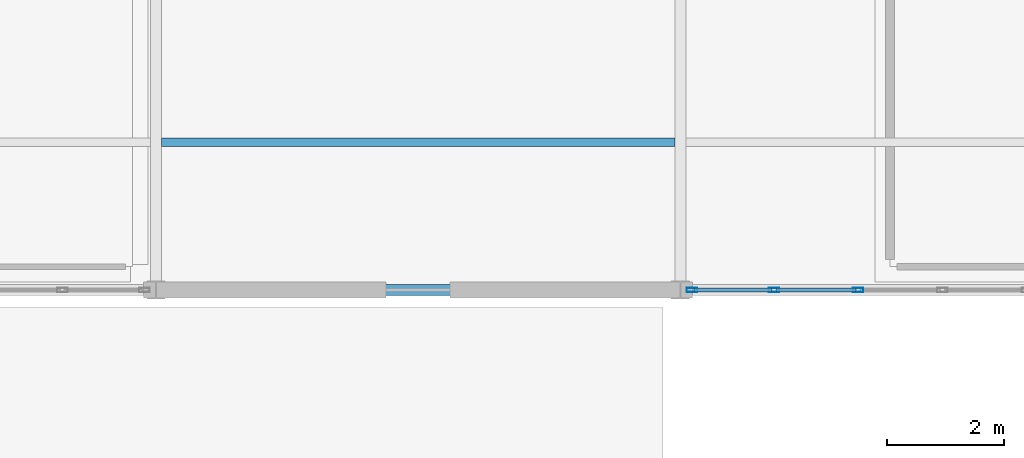
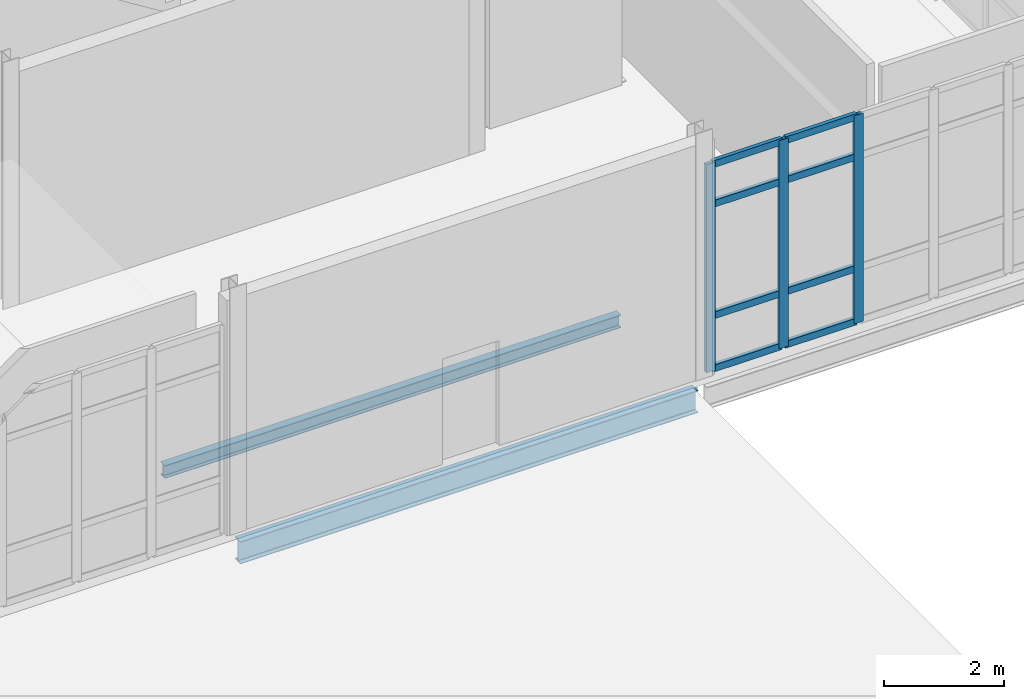
# One storey, part 108 of 161: 11 members, 2 beams, 1 element without a shape of its own.
"""IFC4 building model written with IfcOpenShell, lengths in metres."""

from ifc_helpers import new_model, si_unit, direction, frame, origin, origin_2d, place, context, subcontext, project, spatial, hollow_rectangle, i_section, extrude, material, material_profile, profile_set, type_object, element, aggregate, save


model = new_model("IFC4")

# Units and contexts
model_context = context("Model", 3, precision=1e-05, world=origin(), true_north=direction((0.0, 1.0)))
body_context = subcontext(model_context, "Body", "Model", "MODEL_VIEW")
ifc_project = project(units=[si_unit("LENGTHUNIT", "METRE"), si_unit("AREAUNIT", "SQUARE_METRE"), si_unit("VOLUMEUNIT", "CUBIC_METRE"), si_unit("PLANEANGLEUNIT", "RADIAN"), si_unit("MASSUNIT", "GRAM", prefix="KILO")], contexts=[model_context])

# Site, building, storey
site_placement = place(None, origin())
site = spatial("IfcSite", under=ifc_project, at=site_placement, CompositionType="ELEMENT")
building_placement = place(site_placement, origin())
building = spatial("IfcBuilding", under=site, at=building_placement, Name="Caisbarro Railhouse Central Library", CompositionType="ELEMENT")
storey_placement = place(building_placement, origin())
storey = spatial("IfcBuildingStorey", under=building, at=storey_placement, Name="L00", CompositionType="ELEMENT", Elevation=0.0)

# Beams
ifc_material_1 = material(Name="Steel ASTM A572 Grade 50", Category="steel")
ifc_material_profile_1 = material_profile(ifc_material_1, i_section(OverallWidth=0.14794921875, OverallDepth=0.26611328125, WebThickness=0.007568359375, FlangeThickness=0.012939453125, FilletRadius=0.010009765625, at=origin_2d()), Name="W250X44.8")
ifc_profile_set_1 = profile_set([ifc_material_profile_1], Name="Steel ASTM A572 Grade 50")
beam_type_1 = type_object("IfcBeamType", Name="BM-J04", PredefinedType="JOIST", material=ifc_profile_set_1)
beam_1_placement = place(storey_placement, frame((135.094970703125, 63.333251953125, -0.383056640625), z_axis=(1.0, 0.0, 0.0), x_axis=(0.0, 1.0, 0.0)))
element("IfcBeam", 1, at=beam_1_placement, inside=storey, type_object=beam_type_1, Name="J04 beam L00 #585", PredefinedType="JOIST", context=body_context, shape_type="SweptSolid", body=[
    extrude(i_section(OverallWidth=0.14794921875, OverallDepth=0.26611328125, WebThickness=0.007568359375, FlangeThickness=0.012939453125, FilletRadius=0.010009765625, at=origin_2d()), origin(), (0.0, 0.0, 1.0), 8.81005859375),
])
ifc_material_profile_2 = material_profile(ifc_material_1, i_section(OverallWidth=0.18994140625, OverallDepth=0.45703125, WebThickness=0.009033203125, FlangeThickness=0.014404296875, FilletRadius=0.01806640625, at=origin_2d()), Name="W460X74.0")
ifc_profile_set_2 = profile_set([ifc_material_profile_2], Name="Steel ASTM A572 Grade 50")
beam_type_2 = type_object("IfcBeamType", Name="BM-SP01", PredefinedType="SPANDREL", material=ifc_profile_set_2)
beam_2_placement = place(storey_placement, frame((135.080078125, 60.800048828125, -0.478515625), z_axis=(1.0, 0.0, 0.0), x_axis=(0.0, 1.0, 0.0)))
element("IfcBeam", 2, at=beam_2_placement, inside=storey, type_object=beam_type_2, Name="SP01 beam L00 #492", PredefinedType="SPANDREL", context=body_context, shape_type="SweptSolid", body=[
    extrude(i_section(OverallWidth=0.18994140625, OverallDepth=0.45703125, WebThickness=0.009033203125, FlangeThickness=0.014404296875, FilletRadius=0.01806640625, at=origin_2d()), origin(), (0.0, 0.0, 1.0), 8.83984375),
])

# Curtain wall, members
ifc_material_2 = material(Name="Anodised architectural aluminium", Category="aluminium")
curtain_wall_type = type_object("IfcCurtainWallType", Name="CW-CW02", PredefinedType="NOTDEFINED", material=ifc_material_2)
curtain_wall_placement = place(storey_placement, origin())
curtain_wall = element("IfcCurtainWall", 3, at=curtain_wall_placement, inside=storey, type_object=curtain_wall_type, Name="CW02 curtain wall L00 #105", PredefinedType="NOTDEFINED")
ifc_material_profile_3 = material_profile(ifc_material_2, hollow_rectangle(XDim=0.074951171875, YDim=0.179931640625, WallThickness=0.00439453125, at=origin_2d()), Name="ALU-MUL-75X180")
ifc_profile_set_3 = profile_set([ifc_material_profile_3], Name="Anodised architectural aluminium")
member_type_1 = type_object("IfcMemberType", Name="CWM-M01", PredefinedType="MULLION", material=ifc_profile_set_3)
member_1_placement = place(storey_placement, frame((144.197509765625, 60.800048828125, 0.0), z_axis=(0.0, 0.0, 1.0), x_axis=(0.0, 1.0, 0.0)))
member_1 = element("IfcMember", 4, at=member_1_placement, type_object=member_type_1, Name="CW02 mullion 1", PredefinedType="MULLION", context=body_context, shape_type="SweptSolid", body=[
    extrude(hollow_rectangle(XDim=0.074951171875, YDim=0.179931640625, WallThickness=0.00439453125, at=origin_2d()), origin(), (0.0, 0.0, 1.0), 4.25),
])
member_2_placement = place(storey_placement, frame((145.606689453125, 60.800048828125, 0.0), z_axis=(0.0, 0.0, 1.0), x_axis=(0.0, 1.0, 0.0)))
member_2 = element("IfcMember", 5, at=member_2_placement, type_object=member_type_1, Name="CW02 mullion 2", PredefinedType="MULLION", context=body_context, shape_type="SweptSolid", body=[
    extrude(hollow_rectangle(XDim=0.074951171875, YDim=0.179931640625, WallThickness=0.00439453125, at=origin_2d()), origin(), (0.0, 0.0, 1.0), 4.25),
])
member_3_placement = place(storey_placement, frame((147.05322265625, 60.800048828125, 0.0), z_axis=(0.0, 0.0, 1.0), x_axis=(0.0, 1.0, 0.0)))
member_3 = element("IfcMember", 6, at=member_3_placement, type_object=member_type_1, Name="CW02 mullion 3", PredefinedType="MULLION", context=body_context, shape_type="SweptSolid", body=[
    extrude(hollow_rectangle(XDim=0.074951171875, YDim=0.179931640625, WallThickness=0.00439453125, at=origin_2d()), origin(), (0.0, 0.0, 1.0), 4.25),
])
ifc_material_profile_4 = material_profile(ifc_material_2, hollow_rectangle(XDim=0.074951171875, YDim=0.139892578125, WallThickness=0.00390625, at=origin_2d()), Name="ALU-TRN-75X140")
ifc_profile_set_4 = profile_set([ifc_material_profile_4], Name="Anodised architectural aluminium")
member_type_2 = type_object("IfcMemberType", Name="CWT-T01", PredefinedType="USERDEFINED", material=ifc_profile_set_4)
member_4_placement = place(storey_placement, frame((144.235107421875, 60.800048828125, 0.03759765625), z_axis=(1.0, 0.0, 0.0), x_axis=(0.0, 1.0, 0.0)))
member_4 = element("IfcMember", 7, at=member_4_placement, type_object=member_type_2, Name="CW02 transom 1.1", ObjectType="TRANSOM", PredefinedType="USERDEFINED", context=body_context, shape_type="SweptSolid", body=[
    extrude(hollow_rectangle(XDim=0.074951171875, YDim=0.139892578125, WallThickness=0.00390625, at=origin_2d()), origin(), (0.0, 0.0, 1.0), 1.333984375),
])
member_5_placement = place(storey_placement, frame((144.235107421875, 60.800048828125, 1.1201171875), z_axis=(1.0, 0.0, 0.0), x_axis=(0.0, 1.0, 0.0)))
member_5 = element("IfcMember", 8, at=member_5_placement, type_object=member_type_2, Name="CW02 transom 1.2", ObjectType="TRANSOM", PredefinedType="USERDEFINED", context=body_context, shape_type="SweptSolid", body=[
    extrude(hollow_rectangle(XDim=0.074951171875, YDim=0.139892578125, WallThickness=0.00390625, at=origin_2d()), origin(), (0.0, 0.0, 1.0), 1.333984375),
])
member_6_placement = place(storey_placement, frame((144.235107421875, 60.800048828125, 3.39990234375), z_axis=(1.0, 0.0, 0.0), x_axis=(0.0, 1.0, 0.0)))
member_6 = element("IfcMember", 9, at=member_6_placement, type_object=member_type_2, Name="CW02 transom 1.3", ObjectType="TRANSOM", PredefinedType="USERDEFINED", context=body_context, shape_type="SweptSolid", body=[
    extrude(hollow_rectangle(XDim=0.074951171875, YDim=0.139892578125, WallThickness=0.00390625, at=origin_2d()), origin(), (0.0, 0.0, 1.0), 1.333984375),
])
member_7_placement = place(storey_placement, frame((144.235107421875, 60.800048828125, 4.21240234375), z_axis=(1.0, 0.0, 0.0), x_axis=(0.0, 1.0, 0.0)))
member_7 = element("IfcMember", 10, at=member_7_placement, type_object=member_type_2, Name="CW02 transom 1.4", ObjectType="TRANSOM", PredefinedType="USERDEFINED", context=body_context, shape_type="SweptSolid", body=[
    extrude(hollow_rectangle(XDim=0.074951171875, YDim=0.139892578125, WallThickness=0.00390625, at=origin_2d()), origin(), (0.0, 0.0, 1.0), 1.333984375),
])
member_8_placement = place(storey_placement, frame((145.644287109375, 60.800048828125, 0.03759765625), z_axis=(1.0, 0.0, 0.0), x_axis=(0.0, 1.0, 0.0)))
member_8 = element("IfcMember", 11, at=member_8_placement, type_object=member_type_2, Name="CW02 transom 2.1", ObjectType="TRANSOM", PredefinedType="USERDEFINED", context=body_context, shape_type="SweptSolid", body=[
    extrude(hollow_rectangle(XDim=0.074951171875, YDim=0.139892578125, WallThickness=0.00390625, at=origin_2d()), origin(), (0.0, 0.0, 1.0), 1.37158203125),
])
member_9_placement = place(storey_placement, frame((145.644287109375, 60.800048828125, 1.1201171875), z_axis=(1.0, 0.0, 0.0), x_axis=(0.0, 1.0, 0.0)))
member_9 = element("IfcMember", 12, at=member_9_placement, type_object=member_type_2, Name="CW02 transom 2.2", ObjectType="TRANSOM", PredefinedType="USERDEFINED", context=body_context, shape_type="SweptSolid", body=[
    extrude(hollow_rectangle(XDim=0.074951171875, YDim=0.139892578125, WallThickness=0.00390625, at=origin_2d()), origin(), (0.0, 0.0, 1.0), 1.37158203125),
])
member_10_placement = place(storey_placement, frame((145.644287109375, 60.800048828125, 3.39990234375), z_axis=(1.0, 0.0, 0.0), x_axis=(0.0, 1.0, 0.0)))
member_10 = element("IfcMember", 13, at=member_10_placement, type_object=member_type_2, Name="CW02 transom 2.3", ObjectType="TRANSOM", PredefinedType="USERDEFINED", context=body_context, shape_type="SweptSolid", body=[
    extrude(hollow_rectangle(XDim=0.074951171875, YDim=0.139892578125, WallThickness=0.00390625, at=origin_2d()), origin(), (0.0, 0.0, 1.0), 1.37158203125),
])
member_11_placement = place(storey_placement, frame((145.644287109375, 60.800048828125, 4.21240234375), z_axis=(1.0, 0.0, 0.0), x_axis=(0.0, 1.0, 0.0)))
member_11 = element("IfcMember", 14, at=member_11_placement, type_object=member_type_2, Name="CW02 transom 2.4", ObjectType="TRANSOM", PredefinedType="USERDEFINED", context=body_context, shape_type="SweptSolid", body=[
    extrude(hollow_rectangle(XDim=0.074951171875, YDim=0.139892578125, WallThickness=0.00390625, at=origin_2d()), origin(), (0.0, 0.0, 1.0), 1.37158203125),
])
aggregate(curtain_wall, [member_1, member_2, member_3, member_4, member_5, member_6, member_7, member_8, member_9, member_10, member_11])

save(model, "model.ifc")
